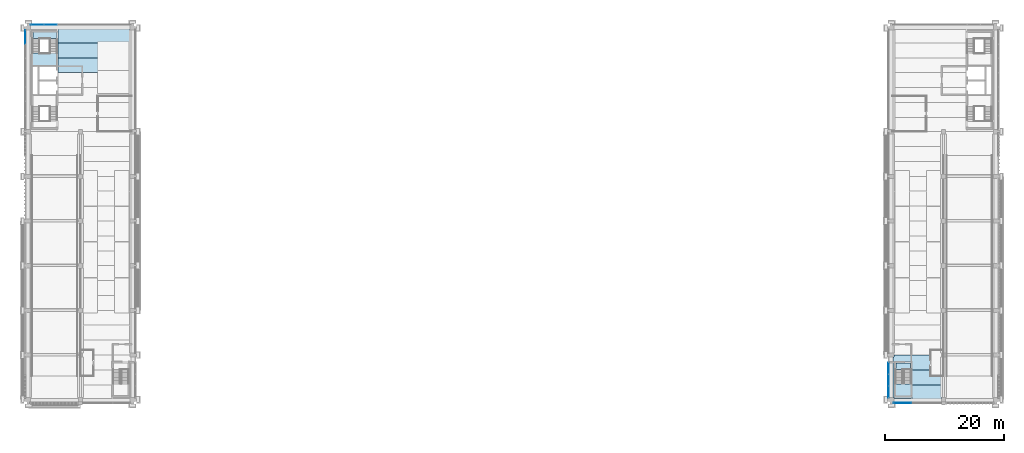
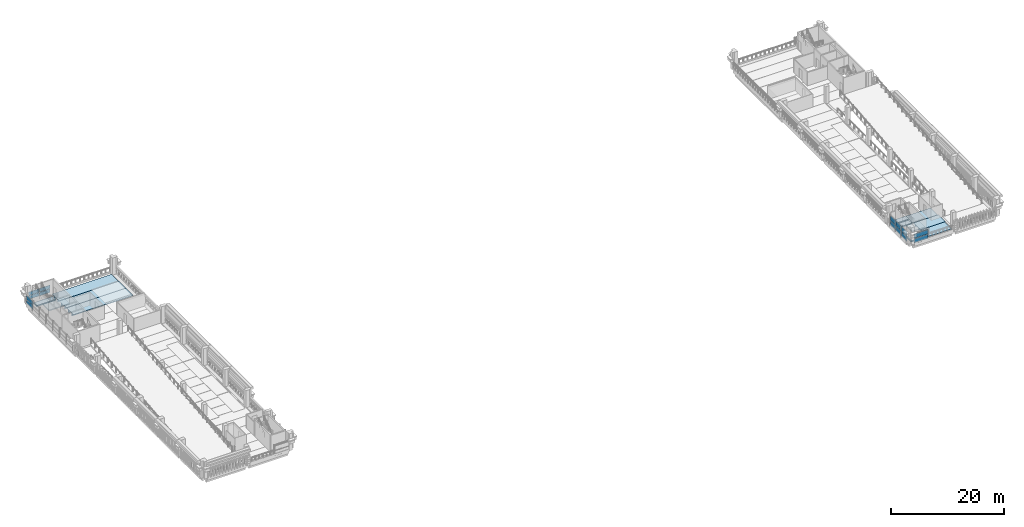
# One storey, part 7 of 25: 14 plates, 11 slabs, 6 elements without a shape of their own.
"""IFC4 building model written with IfcOpenShell, lengths in metres."""

from ifc_helpers import new_model, si_unit, direction, frame, origin, origin_2d, place, context, subcontext, project, spatial, polyline, rectangle, outline, extrude, material, layer, layer_set, material_profile, profile_set, type_object, element, aggregate, save


model = new_model("IFC4")

# Units and contexts
model_context = context("Model", 3, precision=1e-05, world=origin(), true_north=direction((0.0, 1.0)))
body_context = subcontext(model_context, "Body", "Model", "MODEL_VIEW")
ifc_project = project(units=[si_unit("LENGTHUNIT", "METRE"), si_unit("AREAUNIT", "SQUARE_METRE"), si_unit("VOLUMEUNIT", "CUBIC_METRE"), si_unit("PLANEANGLEUNIT", "RADIAN"), si_unit("MASSUNIT", "GRAM", prefix="KILO")], contexts=[model_context])

# Site, building, storey
site_placement = place(None, origin())
site = spatial("IfcSite", under=ifc_project, at=site_placement, CompositionType="ELEMENT")
building_placement = place(site_placement, origin())
building = spatial("IfcBuilding", under=site, at=building_placement, Name="Cour d'Honneur Mobility Palace", CompositionType="ELEMENT")
storey_placement = place(building_placement, frame((0.0, 0.0, 30.39990234375)))
storey = spatial("IfcBuildingStorey", under=building, at=storey_placement, Name="L08", CompositionType="ELEMENT", Elevation=30.39990234375)

# Slabs
ifc_material_1 = material(Name="Concrete C50", Category="concrete")
ifc_layer_1 = layer(ifc_material_1, 0.25)
ifc_layer_set_1 = layer_set([ifc_layer_1], Name="Concrete C50")
slab_type_1 = type_object("IfcSlabType", Name="Cast-in-place Slab 250", PredefinedType="FLOOR", material=ifc_layer_set_1)
slab_1_placement = place(storey_placement, frame((0.0, 0.0, -0.25)))
element("IfcSlab", 1, at=slab_1_placement, inside=storey, type_object=slab_type_1, Name="Cast-in-place slab S1 L08 core", PredefinedType="FLOOR", context=body_context, shape_type="SweptSolid", body=[
    extrude(outline(polyline([(4.675048828125, 61.699951171875), (4.675048828125, 60.625), (0.699951171875, 60.625), (0.699951171875, 61.699951171875), (4.675048828125, 61.699951171875)])), origin(), (0.0, 0.0, 1.0), 0.25),
])
slab_2_placement = place(storey_placement, frame((0.0, 0.0, -0.25)))
element("IfcSlab", 2, at=slab_2_placement, inside=storey, type_object=slab_type_1, Name="Cast-in-place slab S1 L08 stair strip", PredefinedType="FLOOR", context=body_context, shape_type="SweptSolid", body=[
    extrude(outline(polyline([(145.25, 0.35009765625), (145.10009765625, 0.35009765625), (145.10009765625, 7.14990234375), (145.25, 7.14990234375), (145.25, 7.5), (148.199951171875, 7.5), (148.199951171875, 6.425048828125), (145.35009765625, 6.425048828125), (145.35009765625, 0.449951171875), (148.199951171875, 0.449951171875), (148.199951171875, 0.22509765625), (145.25, 0.22509765625), (145.25, 0.35009765625)])), origin(), (0.0, 0.0, 1.0), 0.25),
])
slab_3_placement = place(storey_placement, frame((0.0, 0.0, -0.25)))
element("IfcSlab", 3, at=slab_3_placement, inside=storey, type_object=slab_type_1, Name="Cast-in-place slab S1 L08 stair strip", PredefinedType="FLOOR", context=body_context, shape_type="SweptSolid", body=[
    extrude(outline(polyline([(148.074951171875, 6.175048828125), (148.074951171875, 5.10009765625), (145.60009765625, 5.10009765625), (145.60009765625, 6.175048828125), (148.074951171875, 6.175048828125)])), origin(), (0.0, 0.0, 1.0), 0.25),
])

# Curtain wall, plates
ifc_material_2 = material(Name="Aluminium and glass", Category="aluminium")
ifc_layer_2 = layer(ifc_material_2, 0.10009765625)
ifc_layer_set_2 = layer_set([ifc_layer_2], Name="Aluminium and glass")
curtain_wall_type = type_object("IfcCurtainWallType", Name="Curtain wall run", PredefinedType="NOTDEFINED", material=ifc_layer_set_2)
curtain_wall_1_placement = place(storey_placement, origin())
curtain_wall_1 = element("IfcCurtainWall", 4, at=curtain_wall_1_placement, inside=storey, type_object=curtain_wall_type, Name="Curtain wall CW-110", PredefinedType="NOTDEFINED")
ifc_material_3 = material(Name="Double glazing", Category="glass")
ifc_layer_3 = layer(ifc_material_3, 0.028076171875)
ifc_layer_set_3 = layer_set([ifc_layer_3], Name="Double glazing")
plate_type = type_object("IfcPlateType", Name="Curtain wall panel", PredefinedType="CURTAIN_PANEL", material=ifc_layer_set_3)
plate_1_placement = place(storey_placement, frame((3.659912109375, 62.949951171875, 0.06005859375), z_axis=(0.0, 0.0, 1.0), x_axis=(-1.0, 0.0, 0.0)))
plate_1 = element("IfcPlate", 5, at=plate_1_placement, type_object=plate_type, Name="CW-110 panel 1.1", PredefinedType="CURTAIN_PANEL", context=body_context, shape_type="SweptSolid", body=[
    extrude(rectangle(XDim=2.159912109375, YDim=0.028076171875, at=origin_2d()), origin(), (0.0, 0.0, 1.0), 0.760009765625),
])
plate_2_placement = place(storey_placement, frame((3.659912109375, 62.949951171875, 0.8798828125), z_axis=(0.0, 0.0, 1.0), x_axis=(-1.0, 0.0, 0.0)))
plate_2 = element("IfcPlate", 6, at=plate_2_placement, type_object=plate_type, Name="CW-110 panel 1.2", PredefinedType="CURTAIN_PANEL", context=body_context, shape_type="SweptSolid", body=[
    extrude(rectangle(XDim=2.159912109375, YDim=0.028076171875, at=origin_2d()), origin(), (0.0, 0.0, 1.0), 0.760009765625),
])
plate_3_placement = place(storey_placement, frame((1.43994140625, 62.949951171875, 0.06005859375), z_axis=(0.0, 0.0, 1.0), x_axis=(-1.0, 0.0, 0.0)))
plate_3 = element("IfcPlate", 7, at=plate_3_placement, type_object=plate_type, Name="CW-110 panel 2.1", PredefinedType="CURTAIN_PANEL", context=body_context, shape_type="SweptSolid", body=[
    extrude(rectangle(XDim=2.159912109375, YDim=0.028076171875, at=origin_2d()), origin(), (0.0, 0.0, 1.0), 0.760009765625),
])
plate_4_placement = place(storey_placement, frame((1.43994140625, 62.949951171875, 0.8798828125), z_axis=(0.0, 0.0, 1.0), x_axis=(-1.0, 0.0, 0.0)))
plate_4 = element("IfcPlate", 8, at=plate_4_placement, type_object=plate_type, Name="CW-110 panel 2.2", PredefinedType="CURTAIN_PANEL", context=body_context, shape_type="SweptSolid", body=[
    extrude(rectangle(XDim=2.159912109375, YDim=0.028076171875, at=origin_2d()), origin(), (0.0, 0.0, 1.0), 0.760009765625),
])
aggregate(curtain_wall_1, [plate_1, plate_2, plate_3, plate_4])

curtain_wall_2_placement = place(storey_placement, origin())
curtain_wall_2 = element("IfcCurtainWall", 9, at=curtain_wall_2_placement, inside=storey, type_object=curtain_wall_type, Name="Curtain wall CW-111", PredefinedType="NOTDEFINED")
plate_5_placement = place(storey_placement, frame((-0.550048828125, 60.885009765625, 0.06005859375), z_axis=(0.0, 0.0, 1.0), x_axis=(0.0, -1.0, 0.0)))
plate_5 = element("IfcPlate", 10, at=plate_5_placement, type_object=plate_type, Name="CW-111 panel 1.1", PredefinedType="CURTAIN_PANEL", context=body_context, shape_type="SweptSolid", body=[
    extrude(rectangle(XDim=2.31005859375, YDim=0.028076171875, at=origin_2d()), origin(), (0.0, 0.0, 1.0), 0.860107421875),
])
plate_6_placement = place(storey_placement, frame((-0.550048828125, 60.885009765625, 0.97998046875), z_axis=(0.0, 0.0, 1.0), x_axis=(0.0, -1.0, 0.0)))
plate_6 = element("IfcPlate", 11, at=plate_6_placement, type_object=plate_type, Name="CW-111 panel 1.2", PredefinedType="CURTAIN_PANEL", context=body_context, shape_type="SweptSolid", body=[
    extrude(rectangle(XDim=2.31005859375, YDim=0.028076171875, at=origin_2d()), origin(), (0.0, 0.0, 1.0), 0.860107421875),
])
aggregate(curtain_wall_2, [plate_5, plate_6])

curtain_wall_3_placement = place(storey_placement, origin())
curtain_wall_3 = element("IfcCurtainWall", 12, at=curtain_wall_3_placement, inside=storey, type_object=curtain_wall_type, Name="Curtain wall CW-149", PredefinedType="NOTDEFINED")
plate_7_placement = place(storey_placement, frame((146.699951171875, -0.550048828125, 0.06005859375), z_axis=(0.0, 0.0, 1.0), x_axis=(1.0, 0.0, 0.0)))
plate_7 = element("IfcPlate", 13, at=plate_7_placement, type_object=plate_type, Name="CW-149 panel 1.1", PredefinedType="CURTAIN_PANEL", context=body_context, shape_type="SweptSolid", body=[
    extrude(rectangle(XDim=2.8798828125, YDim=0.028076171875, at=origin_2d()), origin(), (0.0, 0.0, 1.0), 0.9599609375),
])
plate_8_placement = place(storey_placement, frame((146.699951171875, -0.550048828125, 1.080078125), z_axis=(0.0, 0.0, 1.0), x_axis=(1.0, 0.0, 0.0)))
plate_8 = element("IfcPlate", 14, at=plate_8_placement, type_object=plate_type, Name="CW-149 panel 1.2", PredefinedType="CURTAIN_PANEL", context=body_context, shape_type="SweptSolid", body=[
    extrude(rectangle(XDim=2.8798828125, YDim=0.028076171875, at=origin_2d()), origin(), (0.0, 0.0, 1.0), 0.9599609375),
])
aggregate(curtain_wall_3, [plate_7, plate_8])

curtain_wall_4_placement = place(storey_placement, origin())
curtain_wall_4 = element("IfcCurtainWall", 15, at=curtain_wall_4_placement, inside=storey, type_object=curtain_wall_type, Name="Curtain wall CW-150", PredefinedType="NOTDEFINED")
plate_9_placement = place(storey_placement, frame((144.35009765625, 5.284912109375, 0.06005859375), z_axis=(0.0, 0.0, 1.0), x_axis=(0.0, -1.0, 0.0)))
plate_9 = element("IfcPlate", 16, at=plate_9_placement, type_object=plate_type, Name="CW-150 panel 1.1", PredefinedType="CURTAIN_PANEL", context=body_context, shape_type="SweptSolid", body=[
    extrude(rectangle(XDim=1.909912109375, YDim=0.028076171875, at=origin_2d()), origin(), (0.0, 0.0, 1.0), 1.06005859375),
])
plate_10_placement = place(storey_placement, frame((144.35009765625, 5.284912109375, 1.18017578125), z_axis=(0.0, 0.0, 1.0), x_axis=(0.0, -1.0, 0.0)))
plate_10 = element("IfcPlate", 17, at=plate_10_placement, type_object=plate_type, Name="CW-150 panel 1.2", PredefinedType="CURTAIN_PANEL", context=body_context, shape_type="SweptSolid", body=[
    extrude(rectangle(XDim=1.909912109375, YDim=0.028076171875, at=origin_2d()), origin(), (0.0, 0.0, 1.0), 1.06005859375),
])
plate_11_placement = place(storey_placement, frame((144.35009765625, 3.300048828125, 0.06005859375), z_axis=(0.0, 0.0, 1.0), x_axis=(0.0, -1.0, 0.0)))
plate_11 = element("IfcPlate", 18, at=plate_11_placement, type_object=plate_type, Name="CW-150 panel 2.1", PredefinedType="CURTAIN_PANEL", context=body_context, shape_type="SweptSolid", body=[
    extrude(rectangle(XDim=1.93994140625, YDim=0.028076171875, at=origin_2d()), origin(), (0.0, 0.0, 1.0), 1.06005859375),
])
plate_12_placement = place(storey_placement, frame((144.35009765625, 3.300048828125, 1.18017578125), z_axis=(0.0, 0.0, 1.0), x_axis=(0.0, -1.0, 0.0)))
plate_12 = element("IfcPlate", 19, at=plate_12_placement, type_object=plate_type, Name="CW-150 panel 2.2", PredefinedType="CURTAIN_PANEL", context=body_context, shape_type="SweptSolid", body=[
    extrude(rectangle(XDim=1.93994140625, YDim=0.028076171875, at=origin_2d()), origin(), (0.0, 0.0, 1.0), 1.06005859375),
])
plate_13_placement = place(storey_placement, frame((144.35009765625, 1.31494140625, 0.06005859375), z_axis=(0.0, 0.0, 1.0), x_axis=(0.0, -1.0, 0.0)))
plate_13 = element("IfcPlate", 20, at=plate_13_placement, type_object=plate_type, Name="CW-150 panel 3.1", PredefinedType="CURTAIN_PANEL", context=body_context, shape_type="SweptSolid", body=[
    extrude(rectangle(XDim=1.909912109375, YDim=0.028076171875, at=origin_2d()), origin(), (0.0, 0.0, 1.0), 1.06005859375),
])
plate_14_placement = place(storey_placement, frame((144.35009765625, 1.31494140625, 1.18017578125), z_axis=(0.0, 0.0, 1.0), x_axis=(0.0, -1.0, 0.0)))
plate_14 = element("IfcPlate", 21, at=plate_14_placement, type_object=plate_type, Name="CW-150 panel 3.2", PredefinedType="CURTAIN_PANEL", context=body_context, shape_type="SweptSolid", body=[
    extrude(rectangle(XDim=1.909912109375, YDim=0.028076171875, at=origin_2d()), origin(), (0.0, 0.0, 1.0), 1.06005859375),
])
aggregate(curtain_wall_4, [plate_9, plate_10, plate_11, plate_12, plate_13, plate_14])

# Slabs
ifc_material_4 = material(Name="Concrete C45", Category="concrete")
ifc_material_profile_1 = material_profile(ifc_material_4, outline(polyline([(-1.2451171875, 0.0), (1.2451171875, 0.0), (1.2451171875, -0.074951171875), (0.659912109375, -0.074951171875), (0.639892578125, -0.39990234375), (0.56005859375, -0.39990234375), (0.5400390625, -0.074951171875), (-0.5400390625, -0.074951171875), (-0.56005859375, -0.39990234375), (-0.639892578125, -0.39990234375), (-0.659912109375, -0.074951171875), (-1.2451171875, -0.074951171875), (-1.2451171875, 0.0)])), Name="DT 2490x400")
ifc_profile_set_1 = profile_set([ifc_material_profile_1], Name="Concrete C45")
slab_type_2 = type_object("IfcSlabType", Name="DT 2490x400", PredefinedType="FLOOR", material=ifc_profile_set_1)
slab_4_placement = place(storey_placement, frame((148.324951171875, 1.25, 0.0), z_axis=(1.0, 0.0, 0.0), x_axis=(0.0, 1.0, 0.0)))
element("IfcSlab", 22, at=slab_4_placement, inside=storey, type_object=slab_type_2, Name="Double tee DT-SE1 L08", PredefinedType="FLOOR", context=body_context, shape_type="SweptSolid", body=[
    extrude(outline(polyline([(-1.2451171875, 0.0), (1.2451171875, 0.0), (1.2451171875, -0.074951171875), (0.659912109375, -0.074951171875), (0.639892578125, -0.39990234375), (0.56005859375, -0.39990234375), (0.5400390625, -0.074951171875), (-0.5400390625, -0.074951171875), (-0.56005859375, -0.39990234375), (-0.639892578125, -0.39990234375), (-0.659912109375, -0.074951171875), (-1.2451171875, -0.074951171875), (-1.2451171875, 0.0)])), origin(), (0.0, 0.0, 1.0), 4.925048828125),
])
slab_5_placement = place(storey_placement, frame((148.324951171875, 3.75, 0.0), z_axis=(1.0, 0.0, 0.0), x_axis=(0.0, 1.0, 0.0)))
element("IfcSlab", 23, at=slab_5_placement, inside=storey, type_object=slab_type_2, Name="Double tee DT-SE2 L08", PredefinedType="FLOOR", context=body_context, shape_type="SweptSolid", body=[
    extrude(outline(polyline([(-1.2451171875, 0.0), (1.2451171875, 0.0), (1.2451171875, -0.074951171875), (0.659912109375, -0.074951171875), (0.639892578125, -0.39990234375), (0.56005859375, -0.39990234375), (0.5400390625, -0.074951171875), (-0.5400390625, -0.074951171875), (-0.56005859375, -0.39990234375), (-0.639892578125, -0.39990234375), (-0.659912109375, -0.074951171875), (-1.2451171875, -0.074951171875), (-1.2451171875, 0.0)])), origin(), (0.0, 0.0, 1.0), 5.074951171875),
])
slab_6_placement = place(storey_placement, frame((148.199951171875, 6.25, 0.0), z_axis=(1.0, 0.0, 0.0), x_axis=(0.0, 1.0, 0.0)))
element("IfcSlab", 24, at=slab_6_placement, inside=storey, type_object=slab_type_2, Name="Double tee DT-SE3 L08", PredefinedType="FLOOR", context=body_context, shape_type="SweptSolid", body=[
    extrude(outline(polyline([(-1.2451171875, 0.0), (1.2451171875, 0.0), (1.2451171875, -0.074951171875), (0.659912109375, -0.074951171875), (0.639892578125, -0.39990234375), (0.56005859375, -0.39990234375), (0.5400390625, -0.074951171875), (-0.5400390625, -0.074951171875), (-0.56005859375, -0.39990234375), (-0.639892578125, -0.39990234375), (-0.659912109375, -0.074951171875), (-1.2451171875, -0.074951171875), (-1.2451171875, 0.0)])), origin(), (0.0, 0.0, 1.0), 5.050048828125),
])
ifc_material_5 = material(Name="Concrete C45", Category="concrete")
ifc_material_profile_2 = material_profile(ifc_material_5, outline(polyline([(-1.2451171875, 0.0), (1.2451171875, 0.0), (1.2451171875, -0.10009765625), (0.679931640625, -0.10009765625), (0.64990234375, -0.64990234375), (0.550048828125, -0.64990234375), (0.52001953125, -0.10009765625), (-0.52001953125, -0.10009765625), (-0.550048828125, -0.64990234375), (-0.64990234375, -0.64990234375), (-0.679931640625, -0.10009765625), (-1.2451171875, -0.10009765625), (-1.2451171875, 0.0)])), Name="DT 2490x650")
ifc_profile_set_2 = profile_set([ifc_material_profile_2], Name="Concrete C45")
slab_type_3 = type_object("IfcSlabType", Name="DT 2490x650", PredefinedType="FLOOR", material=ifc_profile_set_2)
for number, where, z_axis, x_axis, name in (
    (25, (4.925048828125, 56.14990234375, 0.0), (1.0, 0.0, 0.0), (0.0, 1.0, 0.0), "Double tee DT-JW4 L08"),
    (26, (4.925048828125, 58.64990234375, 0.0), (1.0, 0.0, 0.0), (0.0, 1.0, 0.0), "Double tee DT-JW5 L08"),
):
    element("IfcSlab", number, at=place(storey_placement, frame(where, z_axis=z_axis, x_axis=x_axis)), inside=storey, type_object=slab_type_3, Name=name, PredefinedType="FLOOR", context=body_context, shape_type="SweptSolid", body=[
        extrude(outline(polyline([(-1.2451171875, 0.0), (1.2451171875, 0.0), (1.2451171875, -0.10009765625), (0.679931640625, -0.10009765625), (0.64990234375, -0.64990234375), (0.550048828125, -0.64990234375), (0.52001953125, -0.10009765625), (-0.52001953125, -0.10009765625), (-0.550048828125, -0.64990234375), (-0.64990234375, -0.64990234375), (-0.679931640625, -0.10009765625), (-1.2451171875, -0.10009765625), (-1.2451171875, 0.0)])), origin(), (0.0, 0.0, 1.0), 12.224853515625),
    ])
slab_7_placement = place(storey_placement, frame((4.925048828125, 61.14990234375, 0.0), z_axis=(1.0, 0.0, 0.0), x_axis=(0.0, 1.0, 0.0)))
element("IfcSlab", 27, at=slab_7_placement, inside=storey, type_object=slab_type_3, Name="Double tee DT-JW6 L08", PredefinedType="FLOOR", context=body_context, shape_type="SweptSolid", body=[
    extrude(outline(polyline([(-1.2451171875, 0.0), (1.2451171875, 0.0), (1.2451171875, -0.10009765625), (0.679931640625, -0.10009765625), (0.64990234375, -0.64990234375), (0.550048828125, -0.64990234375), (0.52001953125, -0.10009765625), (-0.52001953125, -0.10009765625), (-0.550048828125, -0.64990234375), (-0.64990234375, -0.64990234375), (-0.679931640625, -0.10009765625), (-1.2451171875, -0.10009765625), (-1.2451171875, 0.0)])), origin(), (0.0, 0.0, 1.0), 12.125),
])

# Stair, slab
ifc_material_6 = material(Name="Concrete C50", Category="concrete")
stair_type = type_object("IfcStairType", Name="Stair 20 risers", PredefinedType="HALF_TURN_STAIR", material=ifc_material_6)
stair_1_placement = place(storey_placement, origin())
stair_1 = element("IfcStair", 28, at=stair_1_placement, inside=storey, type_object=stair_type, Name="Stair ST-CW2", PredefinedType="HALF_TURN_STAIR")
ifc_material_7 = material(Name="Concrete C50", Category="concrete")
ifc_layer_4 = layer(ifc_material_7, 0.199951171875)
ifc_layer_set_4 = layer_set([ifc_layer_4], Name="Concrete C50")
slab_type_4 = type_object("IfcSlabType", Name="Stair landing", PredefinedType="LANDING", material=ifc_layer_set_4)
slab_8_placement = place(storey_placement, frame((0.0, 0.0, 1.650146484375)))
slab_8 = element("IfcSlab", 29, at=slab_8_placement, type_object=slab_type_4, Name="ST-CW2 landing 1", PredefinedType="LANDING", context=body_context, shape_type="SweptSolid", body=[
    extrude(outline(polyline([(0.574951171875, 56.0), (4.800048828125, 56.0), (4.800048828125, 58.195068359375), (0.574951171875, 58.195068359375), (0.574951171875, 56.0)])), origin(), (0.0, 0.0, 1.0), 0.199951171875),
])
aggregate(stair_1, [slab_8])

stair_2_placement = place(storey_placement, origin())
stair_2 = element("IfcStair", 30, at=stair_2_placement, inside=storey, type_object=stair_type, Name="Stair ST-RE1", PredefinedType="HALF_TURN_STAIR")
slab_9_placement = place(storey_placement, frame((0.0, 0.0, 1.650146484375)))
slab_9 = element("IfcSlab", 31, at=slab_9_placement, type_object=slab_type_4, Name="ST-RE1 landing 1", PredefinedType="LANDING", context=body_context, shape_type="SweptSolid", body=[
    extrude(outline(polyline([(145.47509765625, 0.574951171875), (148.199951171875, 0.574951171875), (148.199951171875, 2.669921875), (145.47509765625, 2.669921875), (145.47509765625, 0.574951171875)])), origin(), (0.0, 0.0, 1.0), 0.199951171875),
])
aggregate(stair_2, [slab_9])

save(model, "model.ifc")
